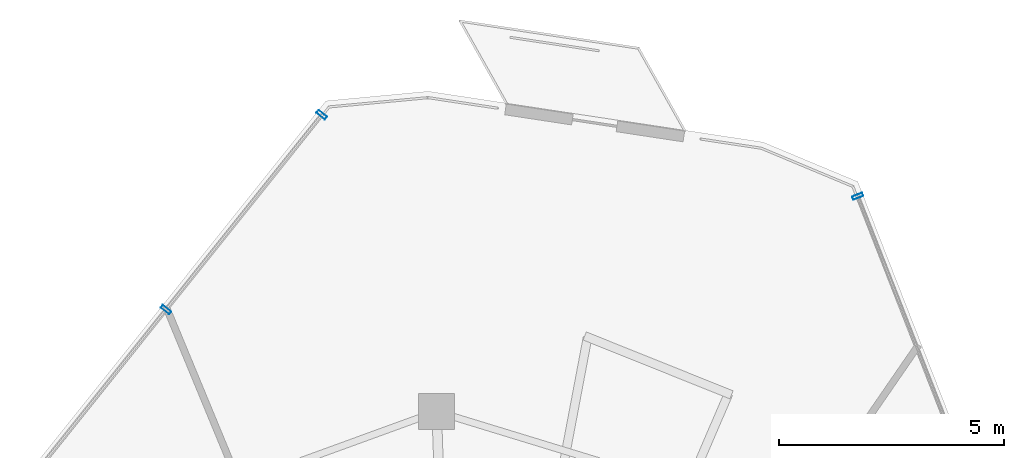
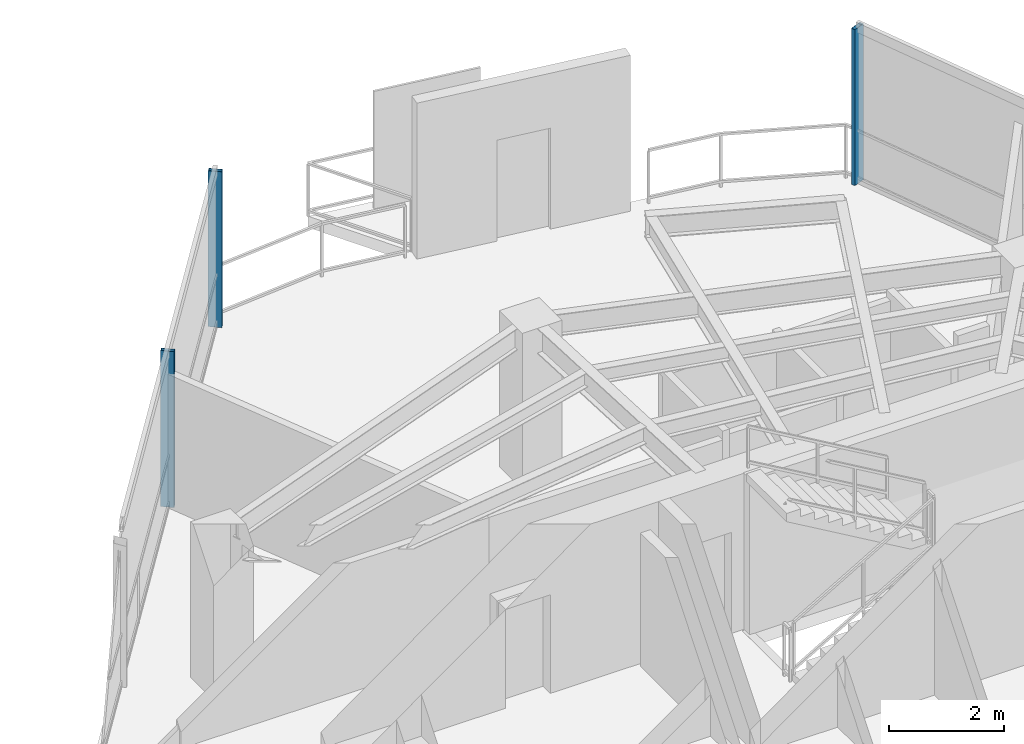
# One storey, part 13 of 19: 3 members, 2 elements without a shape of their own.
"""IFC4 building model written with IfcOpenShell, lengths in metres."""

from ifc_helpers import new_model, si_unit, direction, frame, origin, origin_2d, place, context, subcontext, project, spatial, hollow_rectangle, extrude, material, layer, layer_set, material_profile, profile_set, type_object, element, aggregate, save


model = new_model("IFC4")

# Units and contexts
model_context = context("Model", 3, precision=1e-05, world=origin(), true_north=direction((0.0, 1.0)))
body_context = subcontext(model_context, "Body", "Model", "MODEL_VIEW")
ifc_project = project(units=[si_unit("LENGTHUNIT", "METRE"), si_unit("AREAUNIT", "SQUARE_METRE"), si_unit("VOLUMEUNIT", "CUBIC_METRE"), si_unit("PLANEANGLEUNIT", "RADIAN"), si_unit("MASSUNIT", "GRAM", prefix="KILO")], contexts=[model_context])

# Site, building, storey
site_placement = place(None, origin())
site = spatial("IfcSite", under=ifc_project, at=site_placement, CompositionType="ELEMENT")
building_placement = place(site_placement, origin())
building = spatial("IfcBuilding", under=site, at=building_placement, Name="Qarnah Convention Tower", CompositionType="ELEMENT")
storey_placement = place(building_placement, frame((0.0, 0.0, 260.699951171875)))
storey = spatial("IfcBuildingStorey", under=building, at=storey_placement, Name="L70", CompositionType="ELEMENT", Elevation=260.699951171875)

# Curtain wall, member
ifc_material_1 = material(Name="Tempered Low-E dark glass", Category="glass")
ifc_layer = layer(ifc_material_1, 0.176025390625)
ifc_layer_set = layer_set([ifc_layer], Name="Tempered Low-E dark glass")
curtain_wall_type = type_object("IfcCurtainWallType", Name="CWS-05", PredefinedType="NOTDEFINED", material=ifc_layer_set)
curtain_wall_1_placement = place(storey_placement, origin())
curtain_wall_1 = element("IfcCurtainWall", 1, at=curtain_wall_1_placement, inside=storey, type_object=curtain_wall_type, Name="L70 unitised curtain wall CW-L70-F2", PredefinedType="NOTDEFINED")
ifc_material_2 = material(Name="Black anodised aluminium", Category="aluminium")
ifc_material_profile = material_profile(ifc_material_2, hollow_rectangle(XDim=0.080078125, YDim=0.239990234375, WallThickness=0.0048828125, at=origin_2d()), Name="MUL-80X240")
ifc_profile_set = profile_set([ifc_material_profile], Name="Black anodised aluminium")
member_type = type_object("IfcMemberType", Name="MUL-T5", PredefinedType="MULLION", material=ifc_profile_set)
member_1_placement = place(storey_placement, frame((46.06396484375, 44.718017578125, 0.0), z_axis=(0.0, 0.0, 1.0), x_axis=(0.364218048519, -0.931313702859, 0.0)))
member_1 = element("IfcMember", 2, at=member_1_placement, type_object=member_type, Name="CW-L70-F2 mullion 1", PredefinedType="MULLION", context=body_context, shape_type="SweptSolid", body=[
    extrude(hollow_rectangle(XDim=0.080078125, YDim=0.239990234375, WallThickness=0.0048828125, at=origin_2d()), origin(), (0.0, 0.0, 1.0), 3.320068359375),
])
aggregate(curtain_wall_1, [member_1])

# Curtain wall, members
curtain_wall_2_placement = place(storey_placement, origin())
curtain_wall_2 = element("IfcCurtainWall", 3, at=curtain_wall_2_placement, inside=storey, type_object=curtain_wall_type, Name="L70 unitised curtain wall CW-L70-F3", PredefinedType="NOTDEFINED")
member_2_placement = place(storey_placement, frame((30.722412109375, 42.20263671875, 0.0), z_axis=(0.0, 0.0, 1.0), x_axis=(0.624417264657, 0.781090954754, 0.0)))
member_2 = element("IfcMember", 4, at=member_2_placement, type_object=member_type, Name="CW-L70-F3 mullion 5", PredefinedType="MULLION", context=body_context, shape_type="SweptSolid", body=[
    extrude(hollow_rectangle(XDim=0.080078125, YDim=0.239990234375, WallThickness=0.0048828125, at=origin_2d()), origin(), (0.0, 0.0, 1.0), 3.320068359375),
])
member_3_placement = place(storey_placement, frame((34.177001953125, 46.52392578125, 0.0), z_axis=(0.0, 0.0, 1.0), x_axis=(0.624417264657, 0.781090954754, 0.0)))
member_3 = element("IfcMember", 5, at=member_3_placement, type_object=member_type, Name="CW-L70-F3 mullion 6", PredefinedType="MULLION", context=body_context, shape_type="SweptSolid", body=[
    extrude(hollow_rectangle(XDim=0.080078125, YDim=0.239990234375, WallThickness=0.0048828125, at=origin_2d()), origin(), (0.0, 0.0, 1.0), 3.320068359375),
])
aggregate(curtain_wall_2, [member_2, member_3])

save(model, "model.ifc")
